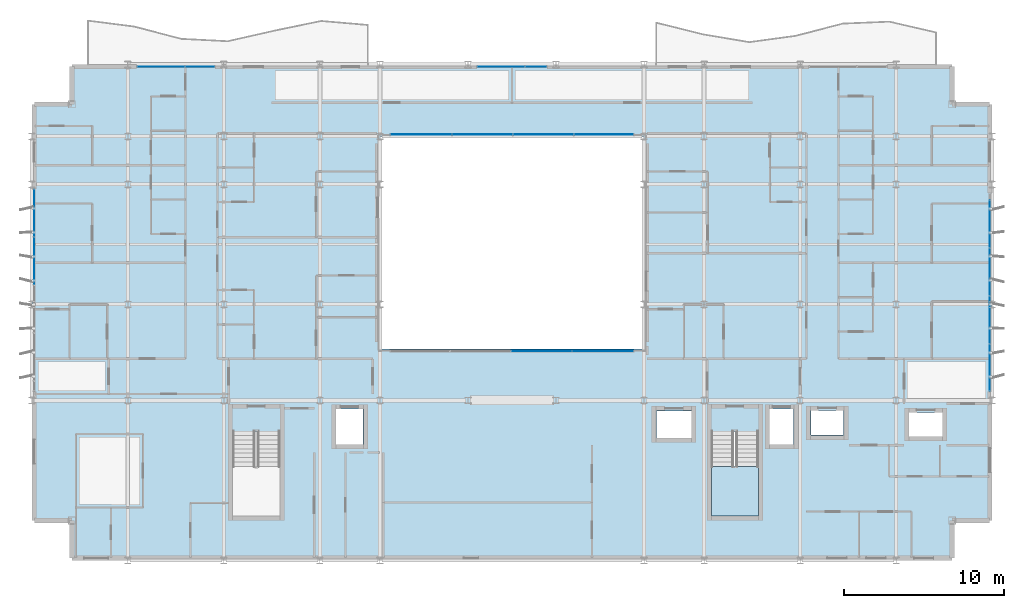
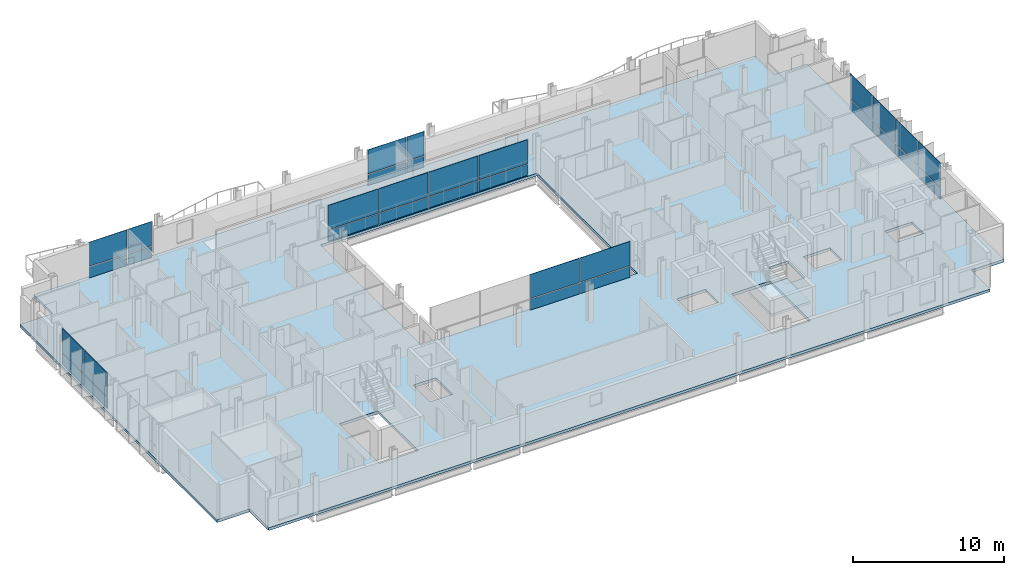
# One storey, part 23 of 39: 32 plates, 2 slabs, 7 elements without a shape of their own.
"""IFC4 building model written with IfcOpenShell, lengths in metres."""

import ifcopenshell
import ifcopenshell.guid

model = None  # the IFC model being written
_history = None  # IfcOwnerHistory: only IFC2X3 demands one
_inside = {}  # id of a spatial element -> (the spatial element, [elements in it])
_under = {}  # id of a project, library or spatial element -> (it, [spatial elements below it])
_declared = {}  # id of a project -> (the project, [libraries it declares])
_typed = {}  # id of a type object -> (the type object, [elements of that type])
_made_of = {}  # id of a material, layer set ... -> (it, [elements and type objects made of it])


def new_model(schema):
    """Start an empty IFC model of exactly this schema.

    Asked for "IFC4X3", IfcOpenShell would pick the latest addendum, in which some entities
    have other attributes; the version numbers below select the first issue.
    IFC2X3 requires an IfcOwnerHistory on every rooted entity: one is made here for all.
    """
    global model, _history
    if schema == "IFC4X3":
        model = ifcopenshell.file(schema_version=(4, 3, 0, 0))
    else:
        model = ifcopenshell.file(schema=schema)
    _inside.clear()
    _under.clear()
    _declared.clear()
    _typed.clear()
    _made_of.clear()
    _history = None
    if model.schema == "IFC2X3":
        org = make("IfcOrganization", Name="unknown")
        user = make(
            "IfcPersonAndOrganization",
            ThePerson=make("IfcPerson", FamilyName="unknown"),
            TheOrganization=org,
        )
        app = make(
            "IfcApplication",
            ApplicationDeveloper=org,
            Version="unknown",
            ApplicationFullName="unknown",
            ApplicationIdentifier="unknown",
        )
        _history = make(
            "IfcOwnerHistory",
            OwningUser=user,
            OwningApplication=app,
            ChangeAction="ADDED",
            CreationDate=0,
        )
    return model


def make(cls, **values):
    """One entity of the class cls with the attributes given. An attribute that is None is left unset."""
    return model.create_entity(
        cls, **{name: value for name, value in values.items() if value is not None}
    )


def rooted(cls, **values):
    """An entity with a GlobalId (a new one), such as an element, a storey or a relation."""
    return make(cls, GlobalId=ifcopenshell.guid.new(), OwnerHistory=_history, **values)


def si_unit(unit_type, name, prefix=None):
    """IfcSIUnit, for example si_unit("LENGTHUNIT", "METRE", prefix="MILLI")."""
    return make("IfcSIUnit", UnitType=unit_type, Prefix=prefix, Name=name)


def assignment(units):
    """IfcUnitAssignment: the units of a project."""
    return None if units is None else make("IfcUnitAssignment", Units=units)


def point(xyz):
    """IfcCartesianPoint."""
    return None if xyz is None else make("IfcCartesianPoint", Coordinates=xyz)


def direction(xyz):
    """IfcDirection."""
    return None if xyz is None else make("IfcDirection", DirectionRatios=xyz)


def frame(location, z_axis=None, x_axis=None):
    """IfcAxis2Placement3D, a coordinate frame: its origin and axes. An axis left out is left unset."""
    return make(
        "IfcAxis2Placement3D",
        Location=point(location),
        Axis=direction(z_axis),
        RefDirection=direction(x_axis),
    )


def frame_2d(location, x_axis=None):
    """IfcAxis2Placement2D, a coordinate frame in the plane: its origin and x axis."""
    return make(
        "IfcAxis2Placement2D", Location=point(location), RefDirection=direction(x_axis)
    )


def origin():
    """The frame at (0, 0, 0) with its axes left unset."""
    return frame((0.0, 0.0, 0.0))


def origin_2d():
    """The frame at (0, 0) in the plane with its x axis left unset."""
    return frame_2d((0.0, 0.0))


def place(relative_to, where):
    """IfcLocalPlacement: puts the frame where relative to a parent placement (None: the world)."""
    return make(
        "IfcLocalPlacement", PlacementRelTo=relative_to, RelativePlacement=where
    )


def context(
    kind, dimensions, precision=None, world=None, true_north=None, identifier=None
):
    """IfcGeometricRepresentationContext, for example the 3D "Model" context."""
    return make(
        "IfcGeometricRepresentationContext",
        ContextIdentifier=identifier,
        ContextType=kind,
        CoordinateSpaceDimension=dimensions,
        Precision=precision,
        WorldCoordinateSystem=world,
        TrueNorth=true_north,
    )


def subcontext(parent, identifier, kind, view, scale=None):
    """IfcGeometricRepresentationSubContext, for example "Body" below "Model"."""
    return make(
        "IfcGeometricRepresentationSubContext",
        ContextIdentifier=identifier,
        ContextType=kind,
        ParentContext=parent,
        TargetScale=scale,
        TargetView=view,
    )


def project(units=None, contexts=None):
    """IfcProject with its units and contexts."""
    return rooted(
        "IfcProject",
        Name="project",
        RepresentationContexts=contexts,
        UnitsInContext=assignment(units),
    )


def spatial(cls, under=None, at=None, **own):
    """A site, building, storey or space (cls), placed at a placement, below another one or the project."""
    s = rooted(cls, ObjectPlacement=at, **own)
    if under is not None:
        _under.setdefault(under.id(), (under, []))[1].append(s)
    return s


def polyline(points):
    """IfcPolyline through the points."""
    return make("IfcPolyline", Points=[point(p) for p in points])


def profile(cls, at=None, kind="AREA", **sizes):
    """A parametric profile (cls). Its sizes go by their IFC names, for example OverallWidth=200.0."""
    return make(cls, ProfileType=kind, Position=at, **sizes)


def rectangle(**sizes):
    """IfcRectangleProfileDef."""
    return profile("IfcRectangleProfileDef", **sizes)


def outline(outer, holes=None, kind="AREA"):
    """IfcArbitraryClosedProfileDef: a profile drawn as a closed curve; with holes, ...WithVoids."""
    if holes is None:
        return make("IfcArbitraryClosedProfileDef", ProfileType=kind, OuterCurve=outer)
    return make(
        "IfcArbitraryProfileDefWithVoids",
        ProfileType=kind,
        OuterCurve=outer,
        InnerCurves=holes,
    )


def extrude(swept, where, along, depth):
    """IfcExtrudedAreaSolid: the profile swept, set in the frame where, extruded along a direction by depth."""
    return make(
        "IfcExtrudedAreaSolid",
        SweptArea=swept,
        Position=where,
        ExtrudedDirection=direction(along),
        Depth=depth,
    )


def shape(context_of_items, identifier, shape_type, items):
    """IfcShapeRepresentation: the items that make up one representation, for example the "Body"."""
    return make(
        "IfcShapeRepresentation",
        ContextOfItems=context_of_items,
        RepresentationIdentifier=identifier,
        RepresentationType=shape_type,
        Items=items,
    )


def material(Name=None, Category=None):
    """IfcMaterial."""
    return make("IfcMaterial", Name=Name, Category=Category)


def layer(
    of_material, thickness, ventilated=None, Name=None, Category=None, Priority=None
):
    """IfcMaterialLayer: one layer of a wall or slab, of a material (None: an air gap)."""
    return make(
        "IfcMaterialLayer",
        Material=of_material,
        LayerThickness=thickness,
        IsVentilated=ventilated,
        Name=Name,
        Category=Category,
        Priority=Priority,
    )


def layer_set(layers, Name=None):
    """IfcMaterialLayerSet."""
    return make("IfcMaterialLayerSet", MaterialLayers=layers, LayerSetName=Name)


def made_of(thing, what):
    """Note that an element or type object is made of a material, layer set ...; save() writes the relation."""
    if what is not None:
        _made_of.setdefault(what.id(), (what, []))[1].append(thing)
    return thing


def type_object(cls, material=None, **own):
    """A type object (cls), such as IfcWallType, which elements share."""
    return made_of(rooted(cls, **own), material)


def element(
    cls,
    number,
    at=None,
    inside=None,
    cuts=None,
    type_object=None,
    material=None,
    context=None,
    identifier="Body",
    shape_type=None,
    held_by="IfcProductDefinitionShape",
    body=None,
    shapes=None,
    **own,
):
    """One element of the class cls, such as IfcWall. Its Tag is "e" and its number.

    at: its placement. inside: the storey or other place that contains it. cuts: it is an
    opening in that element (IfcRelVoidsElement). A single representation is given by context,
    identifier, shape_type and body (its items); several are given by shapes. held_by: the class
    of the entity that holds the representations. save() writes the other relations.
    """
    e = rooted(cls, Tag="e%d" % number, ObjectPlacement=at, **own)
    if body is not None:
        shapes = [shape(context, identifier, shape_type, body)]
    if shapes is not None:
        e.Representation = make(held_by, Representations=shapes)
    if inside is not None:
        _inside.setdefault(inside.id(), (inside, []))[1].append(e)
    if cuts is not None:
        rooted(
            "IfcRelVoidsElement", RelatingBuildingElement=cuts, RelatedOpeningElement=e
        )
    if type_object is not None:
        _typed.setdefault(type_object.id(), (type_object, []))[1].append(e)
    return made_of(e, material)


def aggregate(whole, parts):
    """IfcRelAggregates: a whole, such as a stair, and the parts it consists of."""
    return rooted("IfcRelAggregates", RelatingObject=whole, RelatedObjects=parts)


def save(model, path):
    """Write the relations noted so far, then the file.

    IfcRelAggregates (storeys below a building ...), IfcRelContainedInSpatialStructure (elements
    in a storey), IfcRelDefinesByType, IfcRelAssociatesMaterial and IfcRelDeclares: one each for
    every whole, place, type object, material and project.
    """
    for whole, parts in _under.values():
        aggregate(whole, parts)
    for where, things in _inside.values():
        rooted(
            "IfcRelContainedInSpatialStructure",
            RelatedElements=things,
            RelatingStructure=where,
        )
    for kind, things in _typed.values():
        rooted("IfcRelDefinesByType", RelatedObjects=things, RelatingType=kind)
    for what, things in _made_of.values():
        rooted("IfcRelAssociatesMaterial", RelatedObjects=things, RelatingMaterial=what)
    for by, libraries in _declared.values():
        rooted("IfcRelDeclares", RelatingContext=by, RelatedDefinitions=libraries)
    model.write(path)


model = new_model("IFC4")

# Units and contexts
model_context = context("Model", 3, precision=1e-05, world=origin(), true_north=direction((0.0, 1.0)))
body_context = subcontext(model_context, "Body", "Model", "MODEL_VIEW")
ifc_project = project(units=[si_unit("LENGTHUNIT", "METRE"), si_unit("AREAUNIT", "SQUARE_METRE"), si_unit("VOLUMEUNIT", "CUBIC_METRE"), si_unit("PLANEANGLEUNIT", "RADIAN"), si_unit("MASSUNIT", "GRAM", prefix="KILO")], contexts=[model_context])

# Site, building, storey
site_placement = place(None, origin())
site = spatial("IfcSite", under=ifc_project, at=site_placement, CompositionType="ELEMENT")
building_placement = place(site_placement, origin())
building = spatial("IfcBuilding", under=site, at=building_placement, Name="Brevholm Reach", CompositionType="ELEMENT")
storey_placement = place(building_placement, frame((0.0, 0.0, 103.5)))
storey = spatial("IfcBuildingStorey", under=building, at=storey_placement, Name="L30", CompositionType="ELEMENT", Elevation=103.5)

# Curtain wall, plates
ifc_material_1 = material(Name="Dark Anodised Aluminium 6063-T6 and Solar-Control Glass", Category="aluminium")
ifc_layer_1 = layer(ifc_material_1, 0.14990234375)
ifc_layer_set_1 = layer_set([ifc_layer_1], Name="Dark Anodised Aluminium 6063-T6 and Solar-Control Glass")
curtain_wall_type_1 = type_object("IfcCurtainWallType", Name="CW-01", PredefinedType="NOTDEFINED", material=ifc_layer_set_1)
curtain_wall_1_placement = place(storey_placement, origin())
curtain_wall_1 = element("IfcCurtainWall", 1, at=curtain_wall_1_placement, inside=storey, type_object=curtain_wall_type_1, Name="L30 Curtain Wall CW-01", PredefinedType="NOTDEFINED")
ifc_material_2 = material(Name="Dark Solar-Control Double-Glazed IGU Glass", Category="glass")
ifc_layer_2 = layer(ifc_material_2, 0.028076171875)
ifc_layer_set_2 = layer_set([ifc_layer_2], Name="Dark Solar-Control Double-Glazed IGU Glass")
plate_type_1 = type_object("IfcPlateType", Name="CWP-GLZ-28", PredefinedType="CURTAIN_PANEL", material=ifc_layer_set_2)
plate_1_placement = place(storey_placement, frame((0.14990234375, 21.703857421875, 0.0), z_axis=(0.0, 0.0, 1.0), x_axis=(0.0, -1.0, 0.0)))
plate_1 = element("IfcPlate", 2, at=plate_1_placement, type_object=plate_type_1, Name="CP-01 Glazing Panel 1.1", PredefinedType="CURTAIN_PANEL", context=body_context, shape_type="SweptSolid", body=[
    extrude(rectangle(XDim=2.902587890625, YDim=0.028076171875, at=origin_2d()), origin(), (0.0, 0.0, 1.0), 0.867431640625),
])
plate_2_placement = place(storey_placement, frame((0.14990234375, 21.703857421875, 0.9326171875), z_axis=(0.0, 0.0, 1.0), x_axis=(0.0, -1.0, 0.0)))
plate_2 = element("IfcPlate", 3, at=plate_2_placement, type_object=plate_type_1, Name="CP-01 Glazing Panel 1.2", PredefinedType="CURTAIN_PANEL", context=body_context, shape_type="SweptSolid", body=[
    extrude(rectangle(XDim=2.902587890625, YDim=0.028076171875, at=origin_2d()), origin(), (0.0, 0.0, 1.0), 1.947509765625),
])
plate_3_placement = place(storey_placement, frame((0.14990234375, 18.719970703125, 0.0), z_axis=(0.0, 0.0, 1.0), x_axis=(0.0, -1.0, 0.0)))
plate_3 = element("IfcPlate", 4, at=plate_3_placement, type_object=plate_type_1, Name="CP-01 Glazing Panel 2.1", PredefinedType="CURTAIN_PANEL", context=body_context, shape_type="SweptSolid", body=[
    extrude(rectangle(XDim=2.93505859375, YDim=0.028076171875, at=origin_2d()), origin(), (0.0, 0.0, 1.0), 0.867431640625),
])
plate_4_placement = place(storey_placement, frame((0.14990234375, 18.719970703125, 0.9326171875), z_axis=(0.0, 0.0, 1.0), x_axis=(0.0, -1.0, 0.0)))
plate_4 = element("IfcPlate", 5, at=plate_4_placement, type_object=plate_type_1, Name="CP-01 Glazing Panel 2.2", PredefinedType="CURTAIN_PANEL", context=body_context, shape_type="SweptSolid", body=[
    extrude(rectangle(XDim=2.93505859375, YDim=0.028076171875, at=origin_2d()), origin(), (0.0, 0.0, 1.0), 1.947509765625),
])
aggregate(curtain_wall_1, [plate_1, plate_2, plate_3, plate_4])

curtain_wall_2_placement = place(storey_placement, origin())
curtain_wall_2 = element("IfcCurtainWall", 6, at=curtain_wall_2_placement, inside=storey, type_object=curtain_wall_type_1, Name="L30 Curtain Wall CW-01", PredefinedType="NOTDEFINED")
plate_5_placement = place(storey_placement, frame((59.85009765625, 12.066162109375, 0.0), z_axis=(0.0, 0.0, 1.0), x_axis=(0.0, 1.0, 0.0)))
plate_5 = element("IfcPlate", 7, at=plate_5_placement, type_object=plate_type_1, Name="CP-01 Glazing Panel 1.1", PredefinedType="CURTAIN_PANEL", context=body_context, shape_type="SweptSolid", body=[
    extrude(rectangle(XDim=2.902587890625, YDim=0.028076171875, at=origin_2d()), origin(), (0.0, 0.0, 1.0), 0.867431640625),
])
plate_6_placement = place(storey_placement, frame((59.85009765625, 12.066162109375, 0.9326171875), z_axis=(0.0, 0.0, 1.0), x_axis=(0.0, 1.0, 0.0)))
plate_6 = element("IfcPlate", 8, at=plate_6_placement, type_object=plate_type_1, Name="CP-01 Glazing Panel 1.2", PredefinedType="CURTAIN_PANEL", context=body_context, shape_type="SweptSolid", body=[
    extrude(rectangle(XDim=2.902587890625, YDim=0.028076171875, at=origin_2d()), origin(), (0.0, 0.0, 1.0), 1.947509765625),
])
plate_7_placement = place(storey_placement, frame((59.85009765625, 15.050048828125, 0.0), z_axis=(0.0, 0.0, 1.0), x_axis=(0.0, 1.0, 0.0)))
plate_7 = element("IfcPlate", 9, at=plate_7_placement, type_object=plate_type_1, Name="CP-01 Glazing Panel 2.1", PredefinedType="CURTAIN_PANEL", context=body_context, shape_type="SweptSolid", body=[
    extrude(rectangle(XDim=2.93505859375, YDim=0.028076171875, at=origin_2d()), origin(), (0.0, 0.0, 1.0), 0.867431640625),
])
plate_8_placement = place(storey_placement, frame((59.85009765625, 15.050048828125, 0.9326171875), z_axis=(0.0, 0.0, 1.0), x_axis=(0.0, 1.0, 0.0)))
plate_8 = element("IfcPlate", 10, at=plate_8_placement, type_object=plate_type_1, Name="CP-01 Glazing Panel 2.2", PredefinedType="CURTAIN_PANEL", context=body_context, shape_type="SweptSolid", body=[
    extrude(rectangle(XDim=2.93505859375, YDim=0.028076171875, at=origin_2d()), origin(), (0.0, 0.0, 1.0), 1.947509765625),
])
plate_9_placement = place(storey_placement, frame((59.85009765625, 18.050048828125, 0.0), z_axis=(0.0, 0.0, 1.0), x_axis=(0.0, 1.0, 0.0)))
plate_9 = element("IfcPlate", 11, at=plate_9_placement, type_object=plate_type_1, Name="CP-01 Glazing Panel 3.1", PredefinedType="CURTAIN_PANEL", context=body_context, shape_type="SweptSolid", body=[
    extrude(rectangle(XDim=2.93505859375, YDim=0.028076171875, at=origin_2d()), origin(), (0.0, 0.0, 1.0), 0.867431640625),
])
plate_10_placement = place(storey_placement, frame((59.85009765625, 18.050048828125, 0.9326171875), z_axis=(0.0, 0.0, 1.0), x_axis=(0.0, 1.0, 0.0)))
plate_10 = element("IfcPlate", 12, at=plate_10_placement, type_object=plate_type_1, Name="CP-01 Glazing Panel 3.2", PredefinedType="CURTAIN_PANEL", context=body_context, shape_type="SweptSolid", body=[
    extrude(rectangle(XDim=2.93505859375, YDim=0.028076171875, at=origin_2d()), origin(), (0.0, 0.0, 1.0), 1.947509765625),
])
plate_11_placement = place(storey_placement, frame((59.85009765625, 21.050048828125, 0.0), z_axis=(0.0, 0.0, 1.0), x_axis=(0.0, 1.0, 0.0)))
plate_11 = element("IfcPlate", 13, at=plate_11_placement, type_object=plate_type_1, Name="CP-01 Glazing Panel 4.1", PredefinedType="CURTAIN_PANEL", context=body_context, shape_type="SweptSolid", body=[
    extrude(rectangle(XDim=2.93505859375, YDim=0.028076171875, at=origin_2d()), origin(), (0.0, 0.0, 1.0), 0.867431640625),
])
plate_12_placement = place(storey_placement, frame((59.85009765625, 21.050048828125, 0.9326171875), z_axis=(0.0, 0.0, 1.0), x_axis=(0.0, 1.0, 0.0)))
plate_12 = element("IfcPlate", 14, at=plate_12_placement, type_object=plate_type_1, Name="CP-01 Glazing Panel 4.2", PredefinedType="CURTAIN_PANEL", context=body_context, shape_type="SweptSolid", body=[
    extrude(rectangle(XDim=2.93505859375, YDim=0.028076171875, at=origin_2d()), origin(), (0.0, 0.0, 1.0), 1.947509765625),
])
aggregate(curtain_wall_2, [plate_5, plate_6, plate_7, plate_8, plate_9, plate_10, plate_11, plate_12])

curtain_wall_3_placement = place(storey_placement, origin())
curtain_wall_3 = element("IfcCurtainWall", 15, at=curtain_wall_3_placement, inside=storey, type_object=curtain_wall_type_1, Name="L30 Curtain Wall CW-01", PredefinedType="NOTDEFINED")
plate_13_placement = place(storey_placement, frame((8.066162109375, 30.85009765625, 0.0), z_axis=(0.0, 0.0, 1.0), x_axis=(1.0, 0.0, 0.0)))
plate_13 = element("IfcPlate", 16, at=plate_13_placement, type_object=plate_type_1, Name="CP-01 Glazing Panel 1.1", PredefinedType="CURTAIN_PANEL", context=body_context, shape_type="SweptSolid", body=[
    extrude(rectangle(XDim=2.902587890625, YDim=0.028076171875, at=origin_2d()), origin(), (0.0, 0.0, 1.0), 0.867431640625),
])
plate_14_placement = place(storey_placement, frame((8.066162109375, 30.85009765625, 0.9326171875), z_axis=(0.0, 0.0, 1.0), x_axis=(1.0, 0.0, 0.0)))
plate_14 = element("IfcPlate", 17, at=plate_14_placement, type_object=plate_type_1, Name="CP-01 Glazing Panel 1.2", PredefinedType="CURTAIN_PANEL", context=body_context, shape_type="SweptSolid", body=[
    extrude(rectangle(XDim=2.902587890625, YDim=0.028076171875, at=origin_2d()), origin(), (0.0, 0.0, 1.0), 1.947509765625),
])
plate_15_placement = place(storey_placement, frame((10.483642578125, 30.85009765625, 0.0), z_axis=(0.0, 0.0, 1.0), x_axis=(1.0, 0.0, 0.0)))
plate_15 = element("IfcPlate", 18, at=plate_15_placement, type_object=plate_type_1, Name="CP-01 Glazing Panel 2.1", PredefinedType="CURTAIN_PANEL", context=body_context, shape_type="SweptSolid", body=[
    extrude(rectangle(XDim=1.802490234375, YDim=0.028076171875, at=origin_2d()), origin(), (0.0, 0.0, 1.0), 0.867431640625),
])
plate_16_placement = place(storey_placement, frame((10.483642578125, 30.85009765625, 0.9326171875), z_axis=(0.0, 0.0, 1.0), x_axis=(1.0, 0.0, 0.0)))
plate_16 = element("IfcPlate", 19, at=plate_16_placement, type_object=plate_type_1, Name="CP-01 Glazing Panel 2.2", PredefinedType="CURTAIN_PANEL", context=body_context, shape_type="SweptSolid", body=[
    extrude(rectangle(XDim=1.802490234375, YDim=0.028076171875, at=origin_2d()), origin(), (0.0, 0.0, 1.0), 1.947509765625),
])
aggregate(curtain_wall_3, [plate_13, plate_14, plate_15, plate_16])

curtain_wall_4_placement = place(storey_placement, origin())
curtain_wall_4 = element("IfcCurtainWall", 20, at=curtain_wall_4_placement, inside=storey, type_object=curtain_wall_type_1, Name="L30 Curtain Wall CW-01", PredefinedType="NOTDEFINED")
plate_17_placement = place(storey_placement, frame((29.316162109375, 30.85009765625, 0.0), z_axis=(0.0, 0.0, 1.0), x_axis=(1.0, 0.0, 0.0)))
plate_17 = element("IfcPlate", 21, at=plate_17_placement, type_object=plate_type_1, Name="CP-01 Glazing Panel 1.1", PredefinedType="CURTAIN_PANEL", context=body_context, shape_type="SweptSolid", body=[
    extrude(rectangle(XDim=2.902587890625, YDim=0.028076171875, at=origin_2d()), origin(), (0.0, 0.0, 1.0), 0.867431640625),
])
plate_18_placement = place(storey_placement, frame((29.316162109375, 30.85009765625, 0.9326171875), z_axis=(0.0, 0.0, 1.0), x_axis=(1.0, 0.0, 0.0)))
plate_18 = element("IfcPlate", 22, at=plate_18_placement, type_object=plate_type_1, Name="CP-01 Glazing Panel 1.2", PredefinedType="CURTAIN_PANEL", context=body_context, shape_type="SweptSolid", body=[
    extrude(rectangle(XDim=2.902587890625, YDim=0.028076171875, at=origin_2d()), origin(), (0.0, 0.0, 1.0), 1.947509765625),
])
plate_19_placement = place(storey_placement, frame((31.483642578125, 30.85009765625, 0.0), z_axis=(0.0, 0.0, 1.0), x_axis=(1.0, 0.0, 0.0)))
plate_19 = element("IfcPlate", 23, at=plate_19_placement, type_object=plate_type_1, Name="CP-01 Glazing Panel 2.1", PredefinedType="CURTAIN_PANEL", context=body_context, shape_type="SweptSolid", body=[
    extrude(rectangle(XDim=1.302490234375, YDim=0.028076171875, at=origin_2d()), origin(), (0.0, 0.0, 1.0), 0.867431640625),
])
plate_20_placement = place(storey_placement, frame((31.483642578125, 30.85009765625, 0.9326171875), z_axis=(0.0, 0.0, 1.0), x_axis=(1.0, 0.0, 0.0)))
plate_20 = element("IfcPlate", 24, at=plate_20_placement, type_object=plate_type_1, Name="CP-01 Glazing Panel 2.2", PredefinedType="CURTAIN_PANEL", context=body_context, shape_type="SweptSolid", body=[
    extrude(rectangle(XDim=1.302490234375, YDim=0.028076171875, at=origin_2d()), origin(), (0.0, 0.0, 1.0), 1.947509765625),
])
aggregate(curtain_wall_4, [plate_17, plate_18, plate_19, plate_20])

ifc_material_3 = material(Name="Dark Anodised Aluminium 6063-T6 and Solar-Control Glass", Category="aluminium")
ifc_layer_3 = layer(ifc_material_3, 0.139892578125)
ifc_layer_set_3 = layer_set([ifc_layer_3], Name="Dark Anodised Aluminium 6063-T6 and Solar-Control Glass")
curtain_wall_type_2 = type_object("IfcCurtainWallType", Name="CW-02", PredefinedType="NOTDEFINED", material=ifc_layer_set_3)
curtain_wall_5_placement = place(storey_placement, origin())
curtain_wall_5 = element("IfcCurtainWall", 25, at=curtain_wall_5_placement, inside=storey, type_object=curtain_wall_type_2, Name="L30 Curtain Wall CW-02", PredefinedType="NOTDEFINED")
ifc_material_4 = material(Name="Low-Iron Laminated Acoustic Glass", Category="glass")
ifc_layer_4 = layer(ifc_material_4, 0.035888671875)
ifc_layer_set_4 = layer_set([ifc_layer_4], Name="Low-Iron Laminated Acoustic Glass")
plate_type_2 = type_object("IfcPlateType", Name="CWP-GLZ-36", PredefinedType="CURTAIN_PANEL", material=ifc_layer_set_4)
plate_21_placement = place(storey_placement, frame((31.85009765625, 13.080078125, 0.0), z_axis=(0.0, 0.0, 1.0), x_axis=(1.0, 0.0, 0.0)))
plate_21 = element("IfcPlate", 26, at=plate_21_placement, type_object=plate_type_2, Name="CP-02 Glazing Panel 3.1", PredefinedType="CURTAIN_PANEL", context=body_context, shape_type="SweptSolid", body=[
    extrude(rectangle(XDim=3.739990234375, YDim=0.035888671875, at=origin_2d()), origin(), (0.0, 0.0, 1.0), 0.8701171875),
])
plate_22_placement = place(storey_placement, frame((31.85009765625, 13.080078125, 0.93017578125), z_axis=(0.0, 0.0, 1.0), x_axis=(1.0, 0.0, 0.0)))
plate_22 = element("IfcPlate", 27, at=plate_22_placement, type_object=plate_type_2, Name="CP-02 Glazing Panel 3.2", PredefinedType="CURTAIN_PANEL", context=body_context, shape_type="SweptSolid", body=[
    extrude(rectangle(XDim=3.739990234375, YDim=0.035888671875, at=origin_2d()), origin(), (0.0, 0.0, 1.0), 1.949951171875),
])
plate_23_placement = place(storey_placement, frame((35.68505859375, 13.080078125, 0.0), z_axis=(0.0, 0.0, 1.0), x_axis=(1.0, 0.0, 0.0)))
plate_23 = element("IfcPlate", 28, at=plate_23_placement, type_object=plate_type_2, Name="CP-02 Glazing Panel 4.1", PredefinedType="CURTAIN_PANEL", context=body_context, shape_type="SweptSolid", body=[
    extrude(rectangle(XDim=3.81005859375, YDim=0.035888671875, at=origin_2d()), origin(), (0.0, 0.0, 1.0), 0.8701171875),
])
plate_24_placement = place(storey_placement, frame((35.68505859375, 13.080078125, 0.93017578125), z_axis=(0.0, 0.0, 1.0), x_axis=(1.0, 0.0, 0.0)))
plate_24 = element("IfcPlate", 29, at=plate_24_placement, type_object=plate_type_2, Name="CP-02 Glazing Panel 4.2", PredefinedType="CURTAIN_PANEL", context=body_context, shape_type="SweptSolid", body=[
    extrude(rectangle(XDim=3.81005859375, YDim=0.035888671875, at=origin_2d()), origin(), (0.0, 0.0, 1.0), 1.949951171875),
])
aggregate(curtain_wall_5, [plate_21, plate_22, plate_23, plate_24])

curtain_wall_6_placement = place(storey_placement, origin())
curtain_wall_6 = element("IfcCurtainWall", 30, at=curtain_wall_6_placement, inside=storey, type_object=curtain_wall_type_2, Name="L30 Curtain Wall CW-02", PredefinedType="NOTDEFINED")
plate_25_placement = place(storey_placement, frame((35.735107421875, 26.6201171875, 0.0), z_axis=(0.0, 0.0, 1.0), x_axis=(-1.0, 0.0, 0.0)))
plate_25 = element("IfcPlate", 31, at=plate_25_placement, type_object=plate_type_2, Name="CP-02 Glazing Panel 1.1", PredefinedType="CURTAIN_PANEL", context=body_context, shape_type="SweptSolid", body=[
    extrude(rectangle(XDim=3.7099609375, YDim=0.035888671875, at=origin_2d()), origin(), (0.0, 0.0, 1.0), 0.8701171875),
])
plate_26_placement = place(storey_placement, frame((35.735107421875, 26.6201171875, 0.93017578125), z_axis=(0.0, 0.0, 1.0), x_axis=(-1.0, 0.0, 0.0)))
plate_26 = element("IfcPlate", 32, at=plate_26_placement, type_object=plate_type_2, Name="CP-02 Glazing Panel 1.2", PredefinedType="CURTAIN_PANEL", context=body_context, shape_type="SweptSolid", body=[
    extrude(rectangle(XDim=3.7099609375, YDim=0.035888671875, at=origin_2d()), origin(), (0.0, 0.0, 1.0), 1.949951171875),
])
plate_27_placement = place(storey_placement, frame((31.949951171875, 26.6201171875, 0.0), z_axis=(0.0, 0.0, 1.0), x_axis=(-1.0, 0.0, 0.0)))
plate_27 = element("IfcPlate", 33, at=plate_27_placement, type_object=plate_type_2, Name="CP-02 Glazing Panel 2.1", PredefinedType="CURTAIN_PANEL", context=body_context, shape_type="SweptSolid", body=[
    extrude(rectangle(XDim=3.739990234375, YDim=0.035888671875, at=origin_2d()), origin(), (0.0, 0.0, 1.0), 0.8701171875),
])
plate_28_placement = place(storey_placement, frame((31.949951171875, 26.6201171875, 0.93017578125), z_axis=(0.0, 0.0, 1.0), x_axis=(-1.0, 0.0, 0.0)))
plate_28 = element("IfcPlate", 34, at=plate_28_placement, type_object=plate_type_2, Name="CP-02 Glazing Panel 2.2", PredefinedType="CURTAIN_PANEL", context=body_context, shape_type="SweptSolid", body=[
    extrude(rectangle(XDim=3.739990234375, YDim=0.035888671875, at=origin_2d()), origin(), (0.0, 0.0, 1.0), 1.949951171875),
])
plate_29_placement = place(storey_placement, frame((28.14990234375, 26.6201171875, 0.0), z_axis=(0.0, 0.0, 1.0), x_axis=(-1.0, 0.0, 0.0)))
plate_29 = element("IfcPlate", 35, at=plate_29_placement, type_object=plate_type_2, Name="CP-02 Glazing Panel 3.1", PredefinedType="CURTAIN_PANEL", context=body_context, shape_type="SweptSolid", body=[
    extrude(rectangle(XDim=3.739990234375, YDim=0.035888671875, at=origin_2d()), origin(), (0.0, 0.0, 1.0), 0.8701171875),
])
plate_30_placement = place(storey_placement, frame((28.14990234375, 26.6201171875, 0.93017578125), z_axis=(0.0, 0.0, 1.0), x_axis=(-1.0, 0.0, 0.0)))
plate_30 = element("IfcPlate", 36, at=plate_30_placement, type_object=plate_type_2, Name="CP-02 Glazing Panel 3.2", PredefinedType="CURTAIN_PANEL", context=body_context, shape_type="SweptSolid", body=[
    extrude(rectangle(XDim=3.739990234375, YDim=0.035888671875, at=origin_2d()), origin(), (0.0, 0.0, 1.0), 1.949951171875),
])
plate_31_placement = place(storey_placement, frame((24.31494140625, 26.6201171875, 0.0), z_axis=(0.0, 0.0, 1.0), x_axis=(-1.0, 0.0, 0.0)))
plate_31 = element("IfcPlate", 37, at=plate_31_placement, type_object=plate_type_2, Name="CP-02 Glazing Panel 4.1", PredefinedType="CURTAIN_PANEL", context=body_context, shape_type="SweptSolid", body=[
    extrude(rectangle(XDim=3.81005859375, YDim=0.035888671875, at=origin_2d()), origin(), (0.0, 0.0, 1.0), 0.8701171875),
])
plate_32_placement = place(storey_placement, frame((24.31494140625, 26.6201171875, 0.93017578125), z_axis=(0.0, 0.0, 1.0), x_axis=(-1.0, 0.0, 0.0)))
plate_32 = element("IfcPlate", 38, at=plate_32_placement, type_object=plate_type_2, Name="CP-02 Glazing Panel 4.2", PredefinedType="CURTAIN_PANEL", context=body_context, shape_type="SweptSolid", body=[
    extrude(rectangle(XDim=3.81005859375, YDim=0.035888671875, at=origin_2d()), origin(), (0.0, 0.0, 1.0), 1.949951171875),
])
aggregate(curtain_wall_6, [plate_25, plate_26, plate_27, plate_28, plate_29, plate_30, plate_31, plate_32])

# Slab
ifc_material_5 = material(Name="Concrete C40/50", Category="concrete")
ifc_layer_5 = layer(ifc_material_5, 0.219970703125)
ifc_layer_set_5 = layer_set([ifc_layer_5], Name="Concrete C40/50")
slab_type_1 = type_object("IfcSlabType", Name="SLB-FL-220", PredefinedType="FLOOR", material=ifc_layer_set_5)
slab_1_placement = place(storey_placement, frame((0.0, 0.0, -0.219970703125)))
element("IfcSlab", 39, at=slab_1_placement, inside=storey, type_object=slab_type_1, Name="L30 Suspended Floor Slab (main)", PredefinedType="FLOOR", context=body_context, shape_type="SweptSolid", body=[
    extrude(outline(polyline([(2.5, 0.0), (57.5, 0.0), (57.5, 2.5), (60.0, 2.5), (60.0, 28.5), (57.5, 28.5), (57.5, 31.0), (2.5, 31.0), (2.5, 28.5), (0.0, 28.5), (0.0, 2.5), (2.5, 2.5), (2.5, 0.0)]), holes=[polyline([(21.75, 13.199951171875), (38.25, 13.199951171875), (38.25, 26.5), (21.75, 26.5), (21.75, 13.199951171875)]), polyline([(12.550048828125, 2.780029296875), (15.5, 2.780029296875), (15.5, 8.044921875), (12.550048828125, 8.044921875), (12.550048828125, 2.780029296875)]), polyline([(42.449951171875, 2.780029296875), (45.39990234375, 2.780029296875), (45.39990234375, 8.044921875), (42.449951171875, 8.044921875), (42.449951171875, 2.780029296875)]), polyline([(19.0, 7.25), (20.699951171875, 7.25), (20.699951171875, 9.449951171875), (19.0, 9.449951171875), (19.0, 7.25)]), polyline([(46.10009765625, 7.25), (47.60009765625, 7.25), (47.60009765625, 9.449951171875), (46.10009765625, 9.449951171875), (46.10009765625, 7.25)]), polyline([(48.675048828125, 7.824951171875), (50.72509765625, 7.824951171875), (50.72509765625, 9.375), (48.675048828125, 9.375), (48.675048828125, 7.824951171875)]), polyline([(54.800048828125, 7.75), (56.89990234375, 7.75), (56.89990234375, 9.25), (54.800048828125, 9.25), (54.800048828125, 7.75)]), polyline([(39.02001953125, 7.64990234375), (41.219970703125, 7.64990234375), (41.219970703125, 9.35009765625), (39.02001953125, 9.35009765625), (39.02001953125, 7.64990234375)])]), origin(), (0.0, 0.0, 1.0), 0.219970703125),
])

# Stair, slab
ifc_material_6 = material(Name="Precast Concrete C40/50", Category="concrete")
stair_type = type_object("IfcStairType", Name="STR-ESC-1400", PredefinedType="DOUBLE_RETURN_STAIR", material=ifc_material_6)
stair_placement = place(storey_placement, origin())
stair = element("IfcStair", 40, at=stair_placement, inside=storey, type_object=stair_type, Name="L30 ST-2", PredefinedType="DOUBLE_RETURN_STAIR")
ifc_material_7 = material(Name="Concrete C40/50", Category="concrete")
ifc_layer_6 = layer(ifc_material_7, 0.199951171875)
ifc_layer_set_6 = layer_set([ifc_layer_6], Name="Concrete C40/50")
slab_type_2 = type_object("IfcSlabType", Name="SLB-LND-200", PredefinedType="LANDING", material=ifc_layer_set_6)
slab_2_placement = place(storey_placement, frame((0.0, 0.0, 1.35009765625)))
slab_2 = element("IfcSlab", 41, at=slab_2_placement, type_object=slab_type_2, Name="ST-2 landing 1", PredefinedType="LANDING", context=body_context, shape_type="SweptSolid", body=[
    extrude(outline(polyline([(42.449951171875, 5.860107421875), (42.449951171875, 2.780029296875), (45.39990234375, 2.780029296875), (45.39990234375, 5.860107421875), (42.449951171875, 5.860107421875)])), origin(), (0.0, 0.0, 1.0), 0.199951171875),
])
aggregate(stair, [slab_2])

save(model, "model.ifc")
